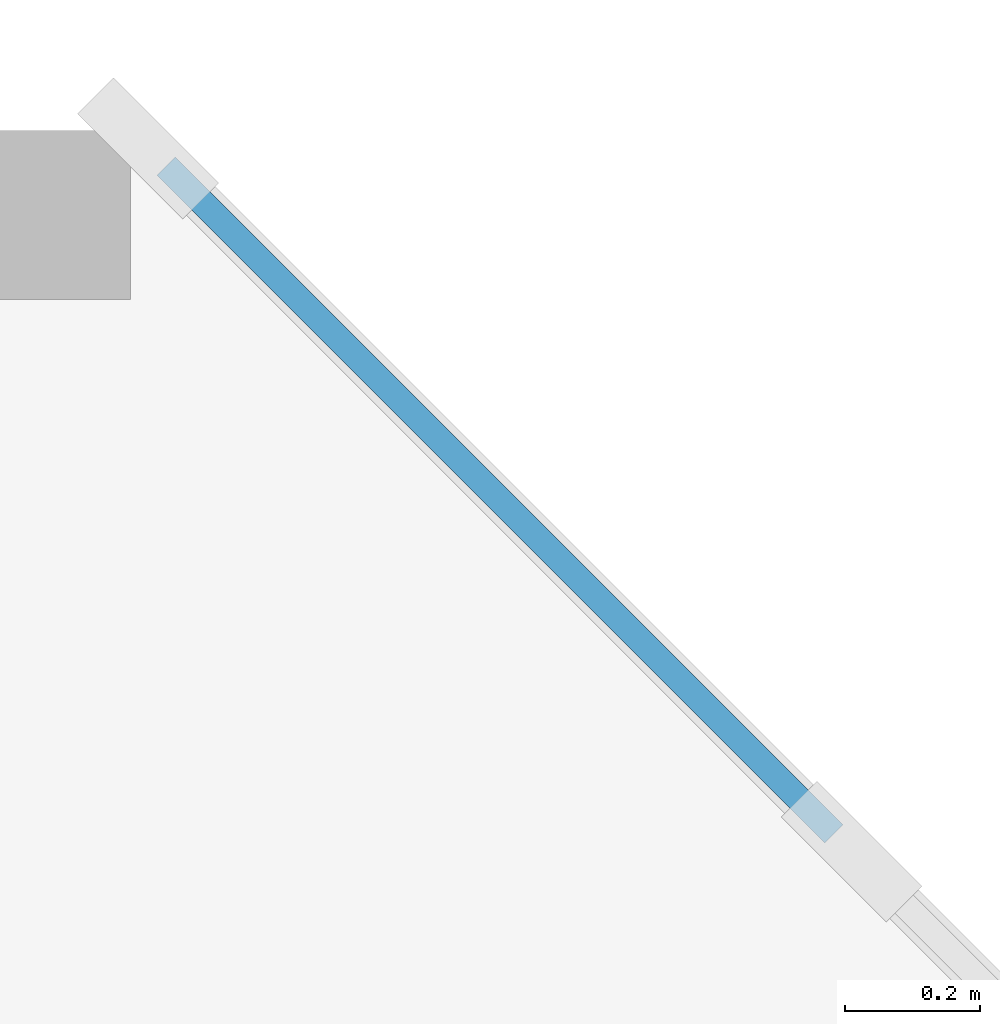
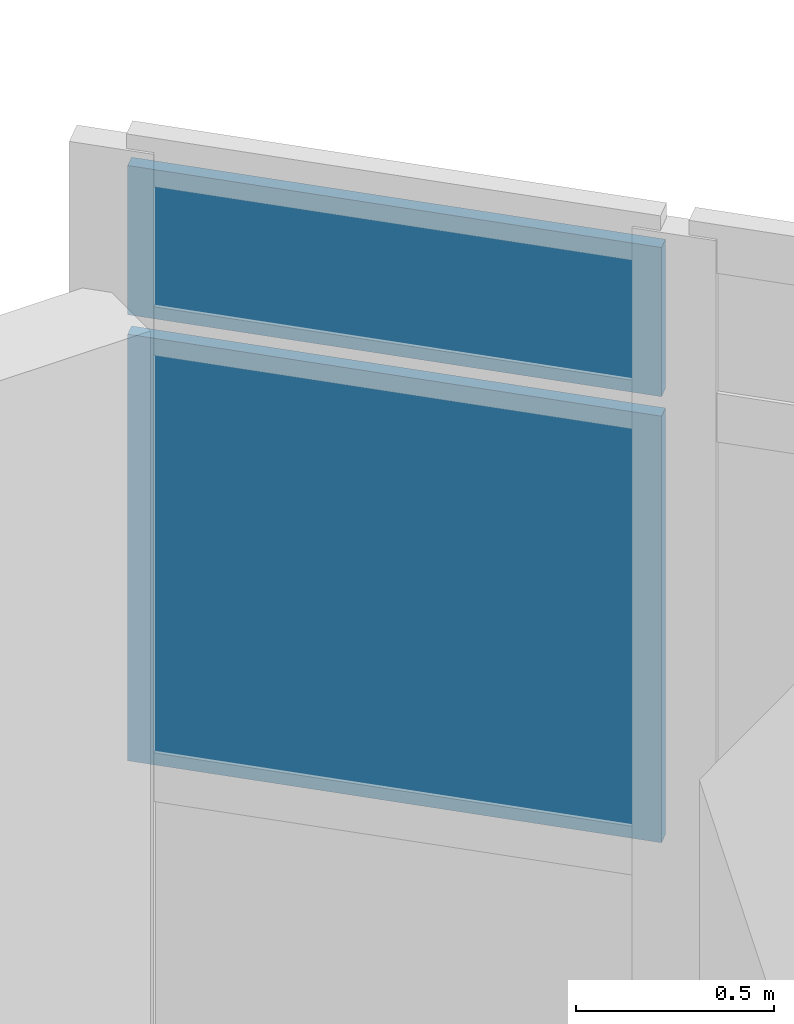
# One storey, part 13 of 46: 2 plates, 1 element without a shape of its own.
"""IFC4 building model written with IfcOpenShell, lengths in metres."""

from ifc_helpers import new_model, si_unit, direction, frame, origin, origin_2d, place, context, subcontext, project, spatial, rectangle, extrude, material, layer, layer_set, type_object, element, aggregate, save


model = new_model("IFC4")

# Units and contexts
model_context = context("Model", 3, precision=1e-05, world=origin(), true_north=direction((0.0, 1.0)))
body_context = subcontext(model_context, "Body", "Model", "MODEL_VIEW")
ifc_project = project(units=[si_unit("LENGTHUNIT", "METRE"), si_unit("AREAUNIT", "SQUARE_METRE"), si_unit("VOLUMEUNIT", "CUBIC_METRE"), si_unit("PLANEANGLEUNIT", "RADIAN"), si_unit("MASSUNIT", "GRAM", prefix="KILO")], contexts=[model_context])

# Site, building, storey
site_placement = place(None, origin())
site = spatial("IfcSite", under=ifc_project, at=site_placement, CompositionType="ELEMENT")
building_placement = place(site_placement, origin())
building = spatial("IfcBuilding", under=site, at=building_placement, Name="Ochrevale Crest", CompositionType="ELEMENT")
storey_placement = place(building_placement, frame((0.0, 0.0, 24.449951171875)))
storey = spatial("IfcBuildingStorey", under=building, at=storey_placement, Name="L07", CompositionType="ELEMENT", Elevation=24.449951171875)

# Curtain wall, plates
ifc_material_1 = material(Name="Anodised aluminium 6063-T5", Category="aluminium")
ifc_layer_1 = layer(ifc_material_1, 0.14990234375)
ifc_layer_set_1 = layer_set([ifc_layer_1], Name="Anodised aluminium 6063-T5")
curtain_wall_type = type_object("IfcCurtainWallType", Name="CW-WG-280x285", PredefinedType="NOTDEFINED", material=ifc_layer_set_1)
curtain_wall_placement = place(storey_placement, origin())
curtain_wall = element("IfcCurtainWall", 1, at=curtain_wall_placement, inside=storey, type_object=curtain_wall_type, Name="Block B L07 chamfered corner wintergarden curtain wall 4", PredefinedType="NOTDEFINED")
ifc_material_2 = material(Name="Acoustic laminated low-E insulated glass unit", Category="glass")
ifc_layer_2 = layer(ifc_material_2, 0.0380859375)
ifc_layer_set_2 = layer_set([ifc_layer_2], Name="Acoustic laminated low-E insulated glass unit")
plate_type = type_object("IfcPlateType", Name="CW-PNL-IGU38", PredefinedType="CURTAIN_PANEL", material=ifc_layer_set_2)
plate_1_placement = place(storey_placement, frame((33.3466796875, 93.053466796875, 0.97998046875), z_axis=(0.0, 0.0, 1.0), x_axis=(-0.707106781187, 0.707106781187, 0.0)))
plate_1 = element("IfcPlate", 2, at=plate_1_placement, type_object=plate_type, Name="CW16 panel 3.2", PredefinedType="CURTAIN_PANEL", context=body_context, shape_type="SweptSolid", body=[
    extrude(rectangle(XDim=1.39599609375, YDim=0.0380859375, at=origin_2d()), origin(), (0.0, 0.0, 1.0), 1.31494140625),
])
plate_2_placement = place(storey_placement, frame((33.3466796875, 93.053466796875, 2.35498046875), z_axis=(0.0, 0.0, 1.0), x_axis=(-0.707106781187, 0.707106781187, 0.0)))
plate_2 = element("IfcPlate", 3, at=plate_2_placement, type_object=plate_type, Name="CW16 panel 3.3", PredefinedType="CURTAIN_PANEL", context=body_context, shape_type="SweptSolid", body=[
    extrude(rectangle(XDim=1.39599609375, YDim=0.0380859375, at=origin_2d()), origin(), (0.0, 0.0, 1.0), 0.4599609375),
])
aggregate(curtain_wall, [plate_1, plate_2])

save(model, "model.ifc")
